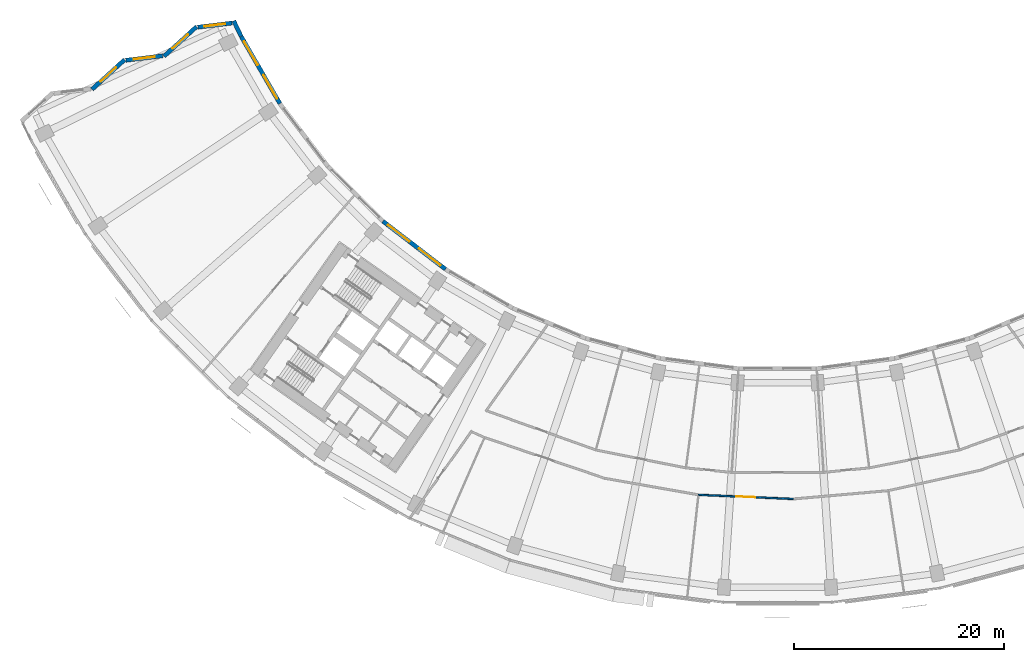
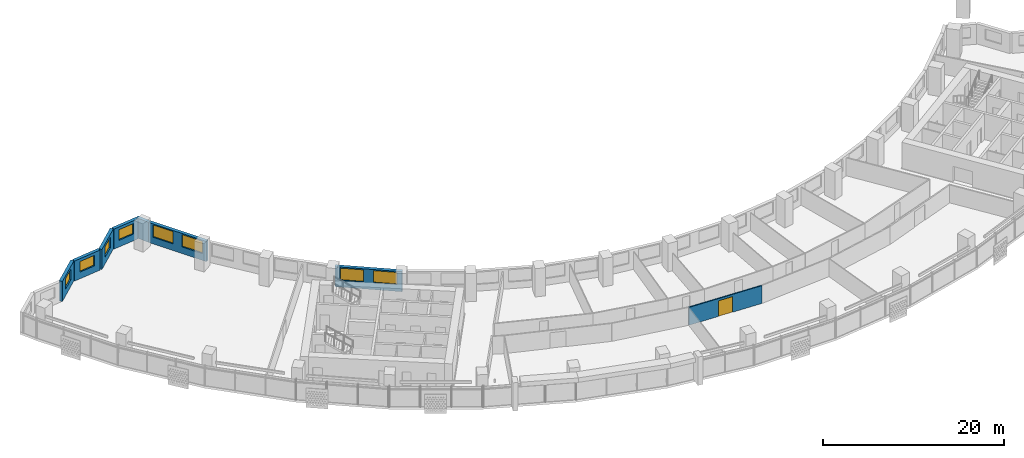
# One storey, part 5 of 29: 8 walls, 8 windows, 1 door, 9 openings.
"""IFC4 building model written with IfcOpenShell, lengths in metres."""

import ifcopenshell
import ifcopenshell.guid

model = None  # the IFC model being written
_history = None  # IfcOwnerHistory: only IFC2X3 demands one
_inside = {}  # id of a spatial element -> (the spatial element, [elements in it])
_under = {}  # id of a project, library or spatial element -> (it, [spatial elements below it])
_declared = {}  # id of a project -> (the project, [libraries it declares])
_typed = {}  # id of a type object -> (the type object, [elements of that type])
_made_of = {}  # id of a material, layer set ... -> (it, [elements and type objects made of it])


def new_model(schema):
    """Start an empty IFC model of exactly this schema.

    Asked for "IFC4X3", IfcOpenShell would pick the latest addendum, in which some entities
    have other attributes; the version numbers below select the first issue.
    IFC2X3 requires an IfcOwnerHistory on every rooted entity: one is made here for all.
    """
    global model, _history
    if schema == "IFC4X3":
        model = ifcopenshell.file(schema_version=(4, 3, 0, 0))
    else:
        model = ifcopenshell.file(schema=schema)
    _inside.clear()
    _under.clear()
    _declared.clear()
    _typed.clear()
    _made_of.clear()
    _history = None
    if model.schema == "IFC2X3":
        org = make("IfcOrganization", Name="unknown")
        user = make(
            "IfcPersonAndOrganization",
            ThePerson=make("IfcPerson", FamilyName="unknown"),
            TheOrganization=org,
        )
        app = make(
            "IfcApplication",
            ApplicationDeveloper=org,
            Version="unknown",
            ApplicationFullName="unknown",
            ApplicationIdentifier="unknown",
        )
        _history = make(
            "IfcOwnerHistory",
            OwningUser=user,
            OwningApplication=app,
            ChangeAction="ADDED",
            CreationDate=0,
        )
    return model


def make(cls, **values):
    """One entity of the class cls with the attributes given. An attribute that is None is left unset."""
    return model.create_entity(
        cls, **{name: value for name, value in values.items() if value is not None}
    )


def rooted(cls, **values):
    """An entity with a GlobalId (a new one), such as an element, a storey or a relation."""
    return make(cls, GlobalId=ifcopenshell.guid.new(), OwnerHistory=_history, **values)


def si_unit(unit_type, name, prefix=None):
    """IfcSIUnit, for example si_unit("LENGTHUNIT", "METRE", prefix="MILLI")."""
    return make("IfcSIUnit", UnitType=unit_type, Prefix=prefix, Name=name)


def assignment(units):
    """IfcUnitAssignment: the units of a project."""
    return None if units is None else make("IfcUnitAssignment", Units=units)


def point(xyz):
    """IfcCartesianPoint."""
    return None if xyz is None else make("IfcCartesianPoint", Coordinates=xyz)


def direction(xyz):
    """IfcDirection."""
    return None if xyz is None else make("IfcDirection", DirectionRatios=xyz)


def frame(location, z_axis=None, x_axis=None):
    """IfcAxis2Placement3D, a coordinate frame: its origin and axes. An axis left out is left unset."""
    return make(
        "IfcAxis2Placement3D",
        Location=point(location),
        Axis=direction(z_axis),
        RefDirection=direction(x_axis),
    )


def frame_2d(location, x_axis=None):
    """IfcAxis2Placement2D, a coordinate frame in the plane: its origin and x axis."""
    return make(
        "IfcAxis2Placement2D", Location=point(location), RefDirection=direction(x_axis)
    )


def origin():
    """The frame at (0, 0, 0) with its axes left unset."""
    return frame((0.0, 0.0, 0.0))


def place(relative_to, where):
    """IfcLocalPlacement: puts the frame where relative to a parent placement (None: the world)."""
    return make(
        "IfcLocalPlacement", PlacementRelTo=relative_to, RelativePlacement=where
    )


def context(
    kind, dimensions, precision=None, world=None, true_north=None, identifier=None
):
    """IfcGeometricRepresentationContext, for example the 3D "Model" context."""
    return make(
        "IfcGeometricRepresentationContext",
        ContextIdentifier=identifier,
        ContextType=kind,
        CoordinateSpaceDimension=dimensions,
        Precision=precision,
        WorldCoordinateSystem=world,
        TrueNorth=true_north,
    )


def subcontext(parent, identifier, kind, view, scale=None):
    """IfcGeometricRepresentationSubContext, for example "Body" below "Model"."""
    return make(
        "IfcGeometricRepresentationSubContext",
        ContextIdentifier=identifier,
        ContextType=kind,
        ParentContext=parent,
        TargetScale=scale,
        TargetView=view,
    )


def project(units=None, contexts=None):
    """IfcProject with its units and contexts."""
    return rooted(
        "IfcProject",
        Name="project",
        RepresentationContexts=contexts,
        UnitsInContext=assignment(units),
    )


def spatial(cls, under=None, at=None, **own):
    """A site, building, storey or space (cls), placed at a placement, below another one or the project."""
    s = rooted(cls, ObjectPlacement=at, **own)
    if under is not None:
        _under.setdefault(under.id(), (under, []))[1].append(s)
    return s


def profile(cls, at=None, kind="AREA", **sizes):
    """A parametric profile (cls). Its sizes go by their IFC names, for example OverallWidth=200.0."""
    return make(cls, ProfileType=kind, Position=at, **sizes)


def rectangle(**sizes):
    """IfcRectangleProfileDef."""
    return profile("IfcRectangleProfileDef", **sizes)


def extrude(swept, where, along, depth):
    """IfcExtrudedAreaSolid: the profile swept, set in the frame where, extruded along a direction by depth."""
    return make(
        "IfcExtrudedAreaSolid",
        SweptArea=swept,
        Position=where,
        ExtrudedDirection=direction(along),
        Depth=depth,
    )


def shape(context_of_items, identifier, shape_type, items):
    """IfcShapeRepresentation: the items that make up one representation, for example the "Body"."""
    return make(
        "IfcShapeRepresentation",
        ContextOfItems=context_of_items,
        RepresentationIdentifier=identifier,
        RepresentationType=shape_type,
        Items=items,
    )


def material(Name=None, Category=None):
    """IfcMaterial."""
    return make("IfcMaterial", Name=Name, Category=Category)


def layer(
    of_material, thickness, ventilated=None, Name=None, Category=None, Priority=None
):
    """IfcMaterialLayer: one layer of a wall or slab, of a material (None: an air gap)."""
    return make(
        "IfcMaterialLayer",
        Material=of_material,
        LayerThickness=thickness,
        IsVentilated=ventilated,
        Name=Name,
        Category=Category,
        Priority=Priority,
    )


def layer_set(layers, Name=None):
    """IfcMaterialLayerSet."""
    return make("IfcMaterialLayerSet", MaterialLayers=layers, LayerSetName=Name)


def made_of(thing, what):
    """Note that an element or type object is made of a material, layer set ...; save() writes the relation."""
    if what is not None:
        _made_of.setdefault(what.id(), (what, []))[1].append(thing)
    return thing


def type_object(cls, material=None, **own):
    """A type object (cls), such as IfcWallType, which elements share."""
    return made_of(rooted(cls, **own), material)


def element(
    cls,
    number,
    at=None,
    inside=None,
    cuts=None,
    type_object=None,
    material=None,
    context=None,
    identifier="Body",
    shape_type=None,
    held_by="IfcProductDefinitionShape",
    body=None,
    shapes=None,
    **own,
):
    """One element of the class cls, such as IfcWall. Its Tag is "e" and its number.

    at: its placement. inside: the storey or other place that contains it. cuts: it is an
    opening in that element (IfcRelVoidsElement). A single representation is given by context,
    identifier, shape_type and body (its items); several are given by shapes. held_by: the class
    of the entity that holds the representations. save() writes the other relations.
    """
    e = rooted(cls, Tag="e%d" % number, ObjectPlacement=at, **own)
    if body is not None:
        shapes = [shape(context, identifier, shape_type, body)]
    if shapes is not None:
        e.Representation = make(held_by, Representations=shapes)
    if inside is not None:
        _inside.setdefault(inside.id(), (inside, []))[1].append(e)
    if cuts is not None:
        rooted(
            "IfcRelVoidsElement", RelatingBuildingElement=cuts, RelatedOpeningElement=e
        )
    if type_object is not None:
        _typed.setdefault(type_object.id(), (type_object, []))[1].append(e)
    return made_of(e, material)


def fill(opening, filler):
    """IfcRelFillsElement: the door or window that sits in an opening."""
    return rooted(
        "IfcRelFillsElement",
        RelatingOpeningElement=opening,
        RelatedBuildingElement=filler,
    )


def aggregate(whole, parts):
    """IfcRelAggregates: a whole, such as a stair, and the parts it consists of."""
    return rooted("IfcRelAggregates", RelatingObject=whole, RelatedObjects=parts)


def save(model, path):
    """Write the relations noted so far, then the file.

    IfcRelAggregates (storeys below a building ...), IfcRelContainedInSpatialStructure (elements
    in a storey), IfcRelDefinesByType, IfcRelAssociatesMaterial and IfcRelDeclares: one each for
    every whole, place, type object, material and project.
    """
    for whole, parts in _under.values():
        aggregate(whole, parts)
    for where, things in _inside.values():
        rooted(
            "IfcRelContainedInSpatialStructure",
            RelatedElements=things,
            RelatingStructure=where,
        )
    for kind, things in _typed.values():
        rooted("IfcRelDefinesByType", RelatedObjects=things, RelatingType=kind)
    for what, things in _made_of.values():
        rooted("IfcRelAssociatesMaterial", RelatedObjects=things, RelatingMaterial=what)
    for by, libraries in _declared.values():
        rooted("IfcRelDeclares", RelatingContext=by, RelatedDefinitions=libraries)
    model.write(path)


model = new_model("IFC4")

# Units and contexts
model_context = context("Model", 3, precision=1e-05, world=origin(), true_north=direction((0.0, 1.0)))
body_context = subcontext(model_context, "Body", "Model", "MODEL_VIEW")
ifc_project = project(units=[si_unit("LENGTHUNIT", "METRE"), si_unit("AREAUNIT", "SQUARE_METRE"), si_unit("VOLUMEUNIT", "CUBIC_METRE"), si_unit("PLANEANGLEUNIT", "RADIAN"), si_unit("MASSUNIT", "GRAM", prefix="KILO")], contexts=[model_context])

# Site, building, storey
site_placement = place(None, origin())
site = spatial("IfcSite", under=ifc_project, at=site_placement, CompositionType="ELEMENT")
building_placement = place(site_placement, origin())
building = spatial("IfcBuilding", under=site, at=building_placement, Name="Qamariyya Broadcast Tower", CompositionType="ELEMENT")
storey_placement = place(building_placement, frame((0.0, 0.0, 106.300048828125)))
storey = spatial("IfcBuildingStorey", under=building, at=storey_placement, Name="L23", CompositionType="ELEMENT", Elevation=106.300048828125)

# Wall, opening, door
ifc_material_1 = material(Name="Gypsum board partition")
ifc_layer_1 = layer(ifc_material_1, 0.14990234375)
ifc_layer_set_1 = layer_set([ifc_layer_1], Name="Corridor partition 150 EI 60")
wall_type_1 = type_object("IfcWallType", Name="Corridor partition 150 EI 60", PredefinedType="PARTITIONING", material=ifc_layer_set_1)
wall_1_placement = place(storey_placement, frame((1.503662109375, -69.18310546875, 0.0), z_axis=(0.0, 0.0, 1.0), x_axis=(-0.999049218693, 0.043596543765, 0.0)))
wall_1 = element("IfcWall", 1, at=wall_1_placement, inside=storey, type_object=wall_type_1, Name="Partition L23-013", PredefinedType="PARTITIONING", context=body_context, shape_type="SweptSolid", body=[
    extrude(rectangle(XDim=9.0439453125, YDim=0.14990234375, at=frame_2d((4.52197265625, 0.0))), origin(), (0.0, 0.0, 1.0), 2.39990234375),
])
opening_1_placement = place(wall_1_placement, frame((3.621826171875, 0.0, 0.0)))
opening_1 = element("IfcOpeningElement", 2, at=opening_1_placement, cuts=wall_1, Name="Opening L23-D03", PredefinedType="OPENING", context=body_context, shape_type="SweptSolid", body=[
    extrude(rectangle(XDim=1.800048828125, YDim=2.10009765625, at=frame_2d((0.89990234375, 1.050048828125))), frame((0.0, 0.0849609375, 0.0), z_axis=(0.0, -1.0, 0.0), x_axis=(1.0, 0.0, 0.0)), (0.0, 0.0, 1.0), 0.169921875),
])
ifc_material_2 = material(Name="Timber fire door leaf", Category="wood")
door_type = type_object("IfcDoorType", Name="Double fire door 1800 x 2100 FD60", OperationType="NOTDEFINED", PredefinedType="DOOR", material=ifc_material_2)
door_placement = place(opening_1_placement, origin())
door = element("IfcDoor", 3, at=door_placement, inside=storey, type_object=door_type, Name="Door L23-D03", OperationType="DOUBLE_DOOR_SINGLE_SWING", OverallHeight=2.10009765625, OverallWidth=1.800048828125, PredefinedType="DOOR", context=body_context, shape_type="SweptSolid", body=[
    extrude(rectangle(XDim=1.800048828125, YDim=2.10009765625, at=frame_2d((0.89990234375, 1.050048828125))), frame((0.0, 0.02490234375, 0.0), z_axis=(0.0, -1.0, 0.0), x_axis=(1.0, 0.0, 0.0)), (0.0, 0.0, 1.0), 0.050048828125),
])
fill(opening_1, door)

# Wall, opening, window
ifc_material_3 = material(Name="Terracotta", Category="masonry")
ifc_layer_2 = layer(ifc_material_3, 0.39990234375)
ifc_layer_set_2 = layer_set([ifc_layer_2], Name="Terracotta clad wall 400")
wall_type_2 = type_object("IfcWallType", Name="Terracotta clad wall 400", PredefinedType="SOLIDWALL", material=ifc_layer_set_2)
wall_2_placement = place(storey_placement, frame((-51.89111328125, -23.9130859375, 0.0), z_axis=(0.0, 0.0, 1.0), x_axis=(-0.992655050252, -0.120979135433, 0.0)))
wall_2 = element("IfcWall", 4, at=wall_2_placement, inside=storey, type_object=wall_type_2, Name="e-wl-L23-capW0", PredefinedType="SOLIDWALL", context=body_context, shape_type="SweptSolid", body=[
    extrude(rectangle(XDim=3.275390625, YDim=0.39990234375, at=frame_2d((1.6376953125, 0.0))), origin(), (0.0, 0.0, 1.0), 2.699951171875),
])
opening_2_placement = place(wall_2_placement, frame((0.6376953125, 0.0, 0.89990234375)))
opening_2 = element("IfcOpeningElement", 5, at=opening_2_placement, cuts=wall_2, Name="Opening W4", PredefinedType="OPENING", context=body_context, shape_type="SweptSolid", body=[
    extrude(rectangle(XDim=2.0, YDim=1.425048828125, at=frame_2d((1.0, 0.71240234375))), frame((0.0, 0.2099609375, 0.0), z_axis=(0.0, -1.0, 0.0), x_axis=(1.0, 0.0, 0.0)), (0.0, 0.0, 1.0), 0.419921875),
])
ifc_material_4 = material(Name="Clear low-e double glazed unit in aluminium frame", Category="aluminium")
window_type_1 = type_object("IfcWindowType", Name="Horn bay window 2000 x 1425", PartitioningType="SINGLE_PANEL", PredefinedType="WINDOW", material=ifc_material_4)
window_1_placement = place(opening_2_placement, origin())
window_1 = element("IfcWindow", 6, at=window_1_placement, inside=storey, type_object=window_type_1, Name="e-w-L23-capW0", OverallHeight=1.425048828125, OverallWidth=2.0, PartitioningType="SINGLE_PANEL", PredefinedType="WINDOW", context=body_context, shape_type="SweptSolid", body=[
    extrude(rectangle(XDim=2.0, YDim=1.425048828125, at=frame_2d((1.0, 0.71240234375))), frame((0.0, 0.030029296875, 0.0), z_axis=(0.0, -1.0, 0.0), x_axis=(1.0, 0.0, 0.0)), (0.0, 0.0, 1.0), 0.06005859375),
])
fill(opening_2, window_1)

wall_3_placement = place(storey_placement, frame((-55.264892578125, -24.257080078125, 0.0), z_axis=(0.0, 0.0, 1.0), x_axis=(-0.739726705827, -0.672907423563, 0.0)))
wall_3 = element("IfcWall", 7, at=wall_3_placement, inside=storey, type_object=wall_type_2, Name="e-wl-L23-capW1", PredefinedType="SOLIDWALL", context=body_context, shape_type="SweptSolid", body=[
    extrude(rectangle(XDim=4.194580078125, YDim=0.39990234375, at=frame_2d((2.09716796875, 0.0))), origin(), (0.0, 0.0, 1.0), 2.699951171875),
])
opening_3_placement = place(wall_3_placement, frame((1.09716796875, 0.0, 0.89990234375)))
opening_3 = element("IfcOpeningElement", 8, at=opening_3_placement, cuts=wall_3, Name="Opening W4", PredefinedType="OPENING", context=body_context, shape_type="SweptSolid", body=[
    extrude(rectangle(XDim=2.0, YDim=1.425048828125, at=frame_2d((1.0, 0.71240234375))), frame((0.0, 0.2099609375, 0.0), z_axis=(0.0, -1.0, 0.0), x_axis=(1.0, 0.0, 0.0)), (0.0, 0.0, 1.0), 0.419921875),
])
window_2_placement = place(opening_3_placement, origin())
window_2 = element("IfcWindow", 9, at=window_2_placement, inside=storey, type_object=window_type_1, Name="e-w-L23-capW1", OverallHeight=1.425048828125, OverallWidth=2.0, PartitioningType="SINGLE_PANEL", PredefinedType="WINDOW", context=body_context, shape_type="SweptSolid", body=[
    extrude(rectangle(XDim=2.0, YDim=1.425048828125, at=frame_2d((1.0, 0.71240234375))), frame((0.0, 0.030029296875, 0.0), z_axis=(0.0, -1.0, 0.0), x_axis=(1.0, 0.0, 0.0)), (0.0, 0.0, 1.0), 0.06005859375),
])
fill(opening_3, window_2)

wall_4_placement = place(storey_placement, frame((-58.490234375, -27.02734375, 0.0), z_axis=(0.0, 0.0, 1.0), x_axis=(-0.992644253529, -0.121067691541, 0.0)))
wall_4 = element("IfcWall", 10, at=wall_4_placement, inside=storey, type_object=wall_type_2, Name="e-wl-L23-capW2", PredefinedType="SOLIDWALL", context=body_context, shape_type="SweptSolid", body=[
    extrude(rectangle(XDim=3.52490234375, YDim=0.39990234375, at=frame_2d((1.762451171875, 0.0))), origin(), (0.0, 0.0, 1.0), 2.699951171875),
])
opening_4_placement = place(wall_4_placement, frame((0.762451171875, 0.0, 0.89990234375)))
opening_4 = element("IfcOpeningElement", 11, at=opening_4_placement, cuts=wall_4, Name="Opening W4", PredefinedType="OPENING", context=body_context, shape_type="SweptSolid", body=[
    extrude(rectangle(XDim=2.0, YDim=1.425048828125, at=frame_2d((1.0, 0.71240234375))), frame((0.0, 0.2099609375, 0.0), z_axis=(0.0, -1.0, 0.0), x_axis=(1.0, 0.0, 0.0)), (0.0, 0.0, 1.0), 0.419921875),
])
window_3_placement = place(opening_4_placement, origin())
window_3 = element("IfcWindow", 12, at=window_3_placement, inside=storey, type_object=window_type_1, Name="e-w-L23-capW2", OverallHeight=1.425048828125, OverallWidth=2.0, PartitioningType="SINGLE_PANEL", PredefinedType="WINDOW", context=body_context, shape_type="SweptSolid", body=[
    extrude(rectangle(XDim=2.0, YDim=1.425048828125, at=frame_2d((1.0, 0.71240234375))), frame((0.0, 0.030029296875, 0.0), z_axis=(0.0, -1.0, 0.0), x_axis=(1.0, 0.0, 0.0)), (0.0, 0.0, 1.0), 0.06005859375),
])
fill(opening_4, window_3)

wall_5_placement = place(storey_placement, frame((-62.11181640625, -27.402099609375, 0.0), z_axis=(0.0, 0.0, 1.0), x_axis=(-0.739681829575, -0.672956752694, 0.0)))
wall_5 = element("IfcWall", 13, at=wall_5_placement, inside=storey, type_object=wall_type_2, Name="e-wl-L23-capW3", PredefinedType="SOLIDWALL", context=body_context, shape_type="SweptSolid", body=[
    extrude(rectangle(XDim=4.193115234375, YDim=0.39990234375, at=frame_2d((2.0966796875, 0.0))), origin(), (0.0, 0.0, 1.0), 2.699951171875),
])
opening_5_placement = place(wall_5_placement, frame((1.0966796875, 0.0, 0.89990234375)))
opening_5 = element("IfcOpeningElement", 14, at=opening_5_placement, cuts=wall_5, Name="Opening W4", PredefinedType="OPENING", context=body_context, shape_type="SweptSolid", body=[
    extrude(rectangle(XDim=2.0, YDim=1.425048828125, at=frame_2d((1.0, 0.71240234375))), frame((0.0, 0.2099609375, 0.0), z_axis=(0.0, -1.0, 0.0), x_axis=(1.0, 0.0, 0.0)), (0.0, 0.0, 1.0), 0.419921875),
])
window_4_placement = place(opening_5_placement, origin())
window_4 = element("IfcWindow", 15, at=window_4_placement, inside=storey, type_object=window_type_1, Name="e-w-L23-capW3", OverallHeight=1.425048828125, OverallWidth=2.0, PartitioningType="SINGLE_PANEL", PredefinedType="WINDOW", context=body_context, shape_type="SweptSolid", body=[
    extrude(rectangle(XDim=2.0, YDim=1.425048828125, at=frame_2d((1.0, 0.71240234375))), frame((0.0, 0.030029296875, 0.0), z_axis=(0.0, -1.0, 0.0), x_axis=(1.0, 0.0, 0.0)), (0.0, 0.0, 1.0), 0.06005859375),
])
fill(opening_5, window_4)

# Wall
wall_6_placement = place(storey_placement, frame((-51.0234375, -25.184326171875, 0.0), z_axis=(0.0, 0.0, 1.0), x_axis=(-0.429892922076, 0.902879878804, 0.0)))
element("IfcWall", 16, at=wall_6_placement, inside=storey, type_object=wall_type_2, Name="e-wl-L23-in00", PredefinedType="SOLIDWALL", context=body_context, shape_type="SweptSolid", body=[
    extrude(rectangle(XDim=1.631591796875, YDim=0.39990234375, at=frame_2d((0.81591796875, 0.0))), origin(), (0.0, 0.0, 1.0), 2.699951171875),
])

# Wall, openings, windows
wall_7_placement = place(storey_placement, frame((-47.33642578125, -31.568359375, 0.0), z_axis=(0.0, 0.0, 1.0), x_axis=(-0.499976222121, 0.866039131514, 0.0)))
wall_7 = element("IfcWall", 17, at=wall_7_placement, inside=storey, type_object=wall_type_2, Name="e-wl-L23-in10", PredefinedType="SOLIDWALL", context=body_context, shape_type="SweptSolid", body=[
    extrude(rectangle(XDim=7.356201171875, YDim=0.39990234375, at=frame_2d((3.67822265625, 0.0))), origin(), (0.0, 0.0, 1.0), 2.699951171875),
])
opening_6_placement = place(wall_7_placement, frame((4.224853515625, 0.0, 0.89990234375)))
opening_6 = element("IfcOpeningElement", 18, at=opening_6_placement, cuts=wall_7, Name="Opening W1", PredefinedType="OPENING", context=body_context, shape_type="SweptSolid", body=[
    extrude(rectangle(XDim=2.60009765625, YDim=1.64990234375, at=frame_2d((1.300048828125, 0.824951171875))), frame((0.0, 0.2099609375, 0.0), z_axis=(0.0, -1.0, 0.0), x_axis=(1.0, 0.0, 0.0)), (0.0, 0.0, 1.0), 0.419921875),
])
opening_7_placement = place(wall_7_placement, frame((0.5166015625, 0.0, 0.89990234375)))
opening_7 = element("IfcOpeningElement", 19, at=opening_7_placement, cuts=wall_7, Name="Opening W1", PredefinedType="OPENING", context=body_context, shape_type="SweptSolid", body=[
    extrude(rectangle(XDim=2.60009765625, YDim=1.64990234375, at=frame_2d((1.300048828125, 0.824951171875))), frame((0.0, 0.2099609375, 0.0), z_axis=(0.0, -1.0, 0.0), x_axis=(1.0, 0.0, 0.0)), (0.0, 0.0, 1.0), 0.419921875),
])
window_type_2 = type_object("IfcWindowType", Name="Ribbon window 2600 x 1650", PartitioningType="SINGLE_PANEL", PredefinedType="WINDOW", material=ifc_material_4)
window_5_placement = place(opening_6_placement, origin())
window_5 = element("IfcWindow", 20, at=window_5_placement, inside=storey, type_object=window_type_2, Name="e-w-L23-in01-0", OverallHeight=1.64990234375, OverallWidth=2.60009765625, PartitioningType="SINGLE_PANEL", PredefinedType="WINDOW", context=body_context, shape_type="SweptSolid", body=[
    extrude(rectangle(XDim=2.60009765625, YDim=1.64990234375, at=frame_2d((1.300048828125, 0.824951171875))), frame((0.0, 0.030029296875, 0.0), z_axis=(0.0, -1.0, 0.0), x_axis=(1.0, 0.0, 0.0)), (0.0, 0.0, 1.0), 0.06005859375),
])
fill(opening_6, window_5)
window_6_placement = place(opening_7_placement, origin())
window_6 = element("IfcWindow", 21, at=window_6_placement, inside=storey, type_object=window_type_2, Name="e-w-L23-in01-1", OverallHeight=1.64990234375, OverallWidth=2.60009765625, PartitioningType="SINGLE_PANEL", PredefinedType="WINDOW", context=body_context, shape_type="SweptSolid", body=[
    extrude(rectangle(XDim=2.60009765625, YDim=1.64990234375, at=frame_2d((1.300048828125, 0.824951171875))), frame((0.0, 0.030029296875, 0.0), z_axis=(0.0, -1.0, 0.0), x_axis=(1.0, 0.0, 0.0)), (0.0, 0.0, 1.0), 0.06005859375),
])
fill(opening_7, window_6)

wall_8_placement = place(storey_placement, frame((-31.59228515625, -47.326171875, 0.0), z_axis=(0.0, 0.0, 1.0), x_axis=(-0.793363487476, 0.608748204711, 0.0)))
wall_8 = element("IfcWall", 22, at=wall_8_placement, inside=storey, type_object=wall_type_2, Name="e-wl-L23-in40", PredefinedType="SOLIDWALL", context=body_context, shape_type="SweptSolid", body=[
    extrude(rectangle(XDim=7.492919921875, YDim=0.39990234375, at=frame_2d((3.74658203125, 0.0))), origin(), (0.0, 0.0, 1.0), 2.699951171875),
])
opening_8_placement = place(wall_8_placement, frame((4.300537109375, 0.0, 0.89990234375)))
opening_8 = element("IfcOpeningElement", 23, at=opening_8_placement, cuts=wall_8, Name="Opening W1", PredefinedType="OPENING", context=body_context, shape_type="SweptSolid", body=[
    extrude(rectangle(XDim=2.60009765625, YDim=1.64990234375, at=frame_2d((1.300048828125, 0.824951171875))), frame((0.0, 0.2099609375, 0.0), z_axis=(0.0, -1.0, 0.0), x_axis=(1.0, 0.0, 0.0)), (0.0, 0.0, 1.0), 0.419921875),
])
opening_9_placement = place(wall_8_placement, frame((0.59228515625, 0.0, 0.89990234375)))
opening_9 = element("IfcOpeningElement", 24, at=opening_9_placement, cuts=wall_8, Name="Opening W1", PredefinedType="OPENING", context=body_context, shape_type="SweptSolid", body=[
    extrude(rectangle(XDim=2.60009765625, YDim=1.64990234375, at=frame_2d((1.300048828125, 0.824951171875))), frame((0.0, 0.2099609375, 0.0), z_axis=(0.0, -1.0, 0.0), x_axis=(1.0, 0.0, 0.0)), (0.0, 0.0, 1.0), 0.419921875),
])
window_7_placement = place(opening_8_placement, origin())
window_7 = element("IfcWindow", 25, at=window_7_placement, inside=storey, type_object=window_type_2, Name="e-w-L23-in04-0", OverallHeight=1.64990234375, OverallWidth=2.60009765625, PartitioningType="SINGLE_PANEL", PredefinedType="WINDOW", context=body_context, shape_type="SweptSolid", body=[
    extrude(rectangle(XDim=2.60009765625, YDim=1.64990234375, at=frame_2d((1.300048828125, 0.824951171875))), frame((0.0, 0.030029296875, 0.0), z_axis=(0.0, -1.0, 0.0), x_axis=(1.0, 0.0, 0.0)), (0.0, 0.0, 1.0), 0.06005859375),
])
fill(opening_8, window_7)
window_8_placement = place(opening_9_placement, origin())
window_8 = element("IfcWindow", 26, at=window_8_placement, inside=storey, type_object=window_type_2, Name="e-w-L23-in04-1", OverallHeight=1.64990234375, OverallWidth=2.60009765625, PartitioningType="SINGLE_PANEL", PredefinedType="WINDOW", context=body_context, shape_type="SweptSolid", body=[
    extrude(rectangle(XDim=2.60009765625, YDim=1.64990234375, at=frame_2d((1.300048828125, 0.824951171875))), frame((0.0, 0.030029296875, 0.0), z_axis=(0.0, -1.0, 0.0), x_axis=(1.0, 0.0, 0.0)), (0.0, 0.0, 1.0), 0.06005859375),
])
fill(opening_9, window_8)

save(model, "model.ifc")
